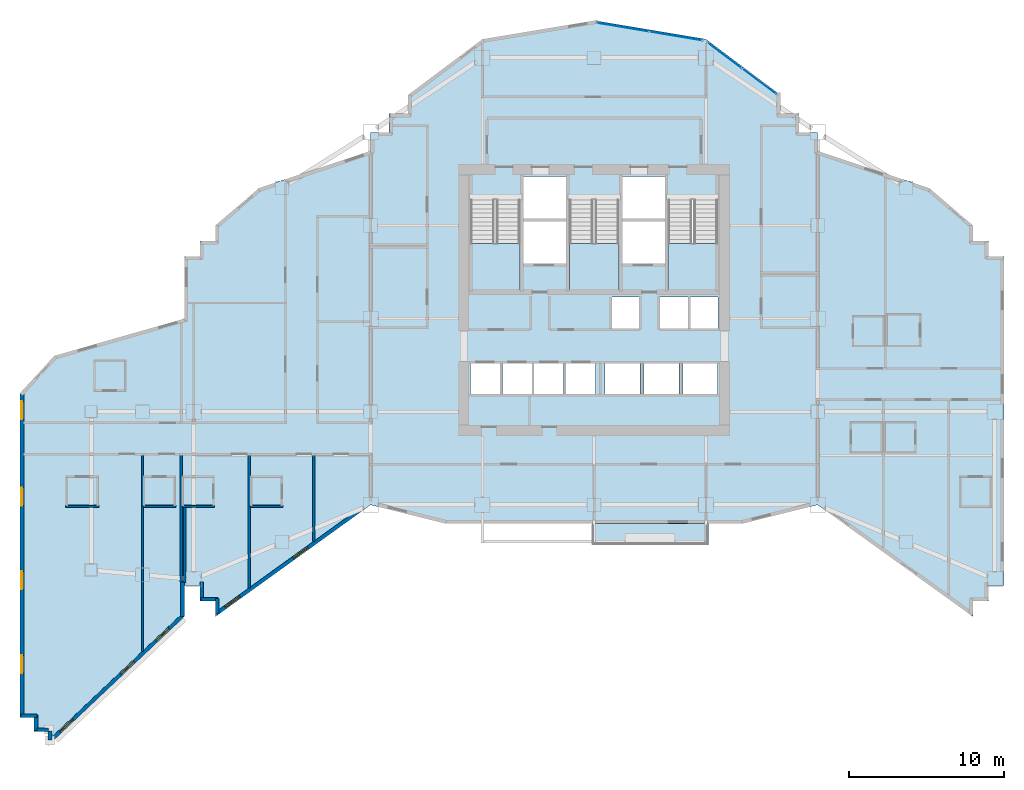
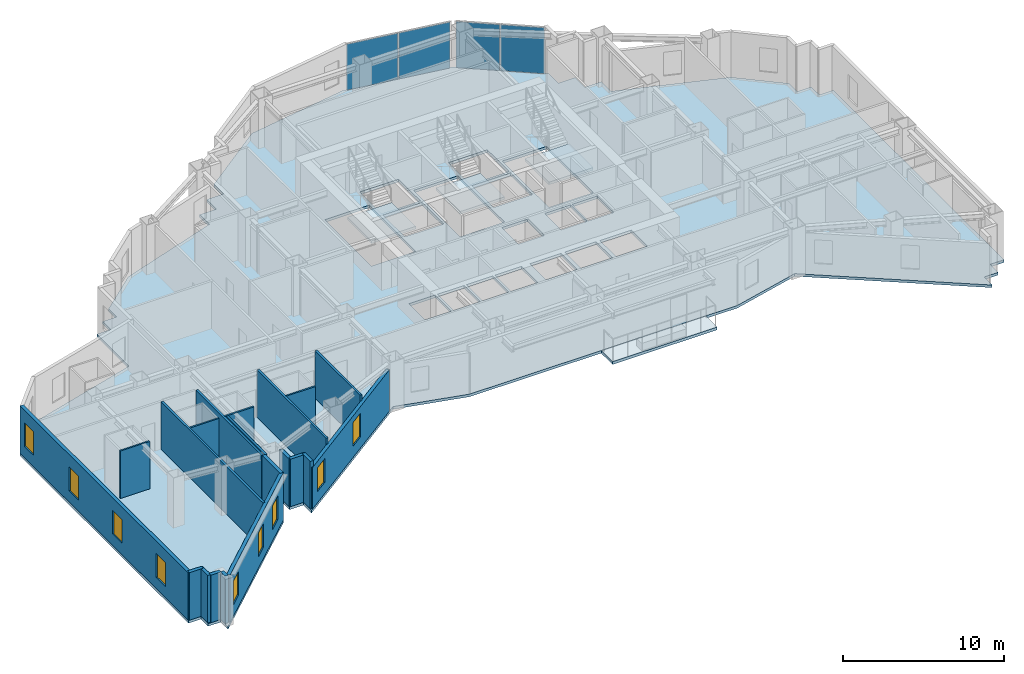
# One storey, part 5 of 13: 20 walls, 9 windows, 5 slabs, 4 plates, 9 openings, 5 elements without a shape of their own.
"""IFC4 building model written with IfcOpenShell, lengths in metres."""

from ifc_helpers import new_model, si_unit, direction, frame, frame_2d, origin, origin_2d, place, context, subcontext, project, spatial, polyline, rectangle, outline, extrude, material, layer, layer_set, type_object, element, fill, aggregate, save


model = new_model("IFC4")

# Units and contexts
model_context = context("Model", 3, precision=1e-05, world=origin(), true_north=direction((0.0, 1.0)))
body_context = subcontext(model_context, "Body", "Model", "MODEL_VIEW")
ifc_project = project(units=[si_unit("LENGTHUNIT", "METRE"), si_unit("AREAUNIT", "SQUARE_METRE"), si_unit("VOLUMEUNIT", "CUBIC_METRE"), si_unit("PLANEANGLEUNIT", "RADIAN"), si_unit("MASSUNIT", "GRAM", prefix="KILO")], contexts=[model_context])

# Site, building, storey
site_placement = place(None, origin())
site = spatial("IfcSite", under=ifc_project, at=site_placement, CompositionType="ELEMENT")
building_placement = place(site_placement, origin())
building = spatial("IfcBuilding", under=site, at=building_placement, Name="Haolan Belvedere Tower", CompositionType="ELEMENT")
storey_placement = place(building_placement, frame((0.0, 0.0, 128.800048828125)))
storey = spatial("IfcBuildingStorey", under=building, at=storey_placement, Name="L32", CompositionType="ELEMENT", Elevation=128.800048828125)

# Curtain wall, plates
ifc_material_1 = material(Name="Anodised champagne-silver aluminium 6063-T6 and Low-E glass", Category="aluminium")
ifc_layer_1 = layer(ifc_material_1, 0.155029296875, Name="Anodised champagne-silver aluminium 6063-T6 and Low-E glass")
ifc_layer_set_1 = layer_set([ifc_layer_1], Name="Anodised champagne-silver aluminium 6063-T6 and Low-E glass")
curtain_wall_type = type_object("IfcCurtainWallType", Name="CW-SYS-03", PredefinedType="NOTDEFINED", material=ifc_layer_set_1)
curtain_wall_1_placement = place(storey_placement, origin())
curtain_wall_1 = element("IfcCurtainWall", 1, at=curtain_wall_1_placement, inside=storey, type_object=curtain_wall_type, Name="L32 CW-SYS-03 ribbon curtain wall 26.1", PredefinedType="NOTDEFINED")
ifc_material_2 = material(Name="Double silver Low-E laminated insulating glass", Category="glass")
ifc_layer_2 = layer(ifc_material_2, 0.02392578125, Name="Double silver Low-E laminated insulating glass")
ifc_layer_set_2 = layer_set([ifc_layer_2], Name="Double silver Low-E laminated insulating glass")
plate_type = type_object("IfcPlateType", Name="CW-SYS-03-PNL", PredefinedType="CURTAIN_PANEL", material=ifc_layer_set_2)
plate_1_placement = place(storey_placement, frame((49.0302734375, 48.877197265625, 0.05419921875), z_axis=(0.0, 0.0, 1.0), x_axis=(-0.800004262313, 0.599994316874, 0.0)))
plate_1 = element("IfcPlate", 2, at=plate_1_placement, type_object=plate_type, Name="CW-03 panel 1.1", PredefinedType="CURTAIN_PANEL", context=body_context, shape_type="SweptSolid", body=[
    extrude(rectangle(XDim=2.728271484375, YDim=0.02392578125, at=origin_2d()), origin(), (0.0, 0.0, 1.0), 3.491943359375),
])
plate_2_placement = place(storey_placement, frame((46.80126953125, 50.549072265625, 0.05419921875), z_axis=(0.0, 0.0, 1.0), x_axis=(-0.800004262313, 0.599994316874, 0.0)))
plate_2 = element("IfcPlate", 3, at=plate_2_placement, type_object=plate_type, Name="CW-03 panel 2.1", PredefinedType="CURTAIN_PANEL", context=body_context, shape_type="SweptSolid", body=[
    extrude(rectangle(XDim=2.728271484375, YDim=0.02392578125, at=origin_2d()), origin(), (0.0, 0.0, 1.0), 3.491943359375),
])
aggregate(curtain_wall_1, [plate_1, plate_2])

curtain_wall_2_placement = place(storey_placement, origin())
curtain_wall_2 = element("IfcCurtainWall", 4, at=curtain_wall_2_placement, inside=storey, type_object=curtain_wall_type, Name="L32 CW-SYS-03 ribbon curtain wall 27.1", PredefinedType="NOTDEFINED")
plate_3_placement = place(storey_placement, frame((43.68017578125, 51.79833984375, 0.05419921875), z_axis=(0.0, 0.0, 1.0), x_axis=(-0.9863931483, 0.16440364043, 0.0)))
plate_3 = element("IfcPlate", 5, at=plate_3_placement, type_object=plate_type, Name="CW-03 panel 1.1", PredefinedType="CURTAIN_PANEL", context=body_context, shape_type="SweptSolid", body=[
    extrude(rectangle(XDim=3.39794921875, YDim=0.02392578125, at=origin_2d()), origin(), (0.0, 0.0, 1.0), 3.491943359375),
])
plate_4_placement = place(storey_placement, frame((40.271240234375, 52.366455078125, 0.05419921875), z_axis=(0.0, 0.0, 1.0), x_axis=(-0.9863931483, 0.16440364043, 0.0)))
plate_4 = element("IfcPlate", 6, at=plate_4_placement, type_object=plate_type, Name="CW-03 panel 2.1", PredefinedType="CURTAIN_PANEL", context=body_context, shape_type="SweptSolid", body=[
    extrude(rectangle(XDim=3.39794921875, YDim=0.02392578125, at=origin_2d()), origin(), (0.0, 0.0, 1.0), 3.491943359375),
])
aggregate(curtain_wall_2, [plate_3, plate_4])

# Slabs
ifc_material_3 = material(Name="Concrete C40/50", Category="concrete")
ifc_layer_3 = layer(ifc_material_3, 0.2099609375, Name="Concrete C40/50")
ifc_layer_set_3 = layer_set([ifc_layer_3], Name="Concrete C40/50")
slab_type_1 = type_object("IfcSlabType", Name="SL-BAL-210", PredefinedType="FLOOR", material=ifc_layer_set_3)
slab_1_placement = place(storey_placement, frame((0.0, 0.0, -0.22998046875)))
element("IfcSlab", 7, at=slab_1_placement, inside=storey, type_object=slab_type_1, Name="L32 structural tree-planter balcony slab BAL-L32-S1", PredefinedType="FLOOR", context=body_context, shape_type="SweptSolid", body=[
    extrude(outline(polyline([(38.25, 19.02001953125), (45.75, 19.02001953125), (45.75, 20.39990234375), (38.25, 20.39990234375), (38.25, 19.02001953125)])), origin(), (0.0, 0.0, 1.0), 0.2099609375),
])
ifc_layer_4 = layer(ifc_material_3, 0.199951171875, Name="Concrete C40/50")
ifc_layer_set_4 = layer_set([ifc_layer_4], Name="Concrete C40/50")
slab_type_2 = type_object("IfcSlabType", Name="SL-FLR-200", PredefinedType="FLOOR", material=ifc_layer_set_4)
slab_2_placement = place(storey_placement, frame((0.0, 0.0, -0.199951171875)))
element("IfcSlab", 8, at=slab_2_placement, inside=storey, type_object=slab_type_2, Name="L32 structural floor slab", PredefinedType="FLOOR", context=body_context, shape_type="SweptSolid", body=[
    extrude(outline(polyline([(12.0, 14.39990234375), (12.0, 16.39990234375), (13.0, 16.39990234375), (13.0, 15.39990234375), (14.0, 15.39990234375), (14.0, 14.39990234375), (24.0, 21.60009765625), (28.800048828125, 20.39990234375), (48.0, 20.39990234375), (52.800048828125, 21.60009765625), (62.800048828125, 14.39990234375), (62.800048828125, 15.39990234375), (63.800048828125, 15.39990234375), (63.800048828125, 16.39990234375), (64.800048828125, 16.39990234375), (64.800048828125, 37.60009765625), (63.800048828125, 37.60009765625), (63.800048828125, 38.60009765625), (62.800048828125, 38.60009765625), (62.800048828125, 39.60009765625), (60.0, 42.0), (52.800048828125, 44.39990234375), (52.800048828125, 45.60009765625), (51.60009765625, 45.60009765625), (51.60009765625, 46.800048828125), (50.39990234375, 46.800048828125), (50.39990234375, 48.0), (45.60009765625, 51.60009765625), (38.39990234375, 52.800048828125), (31.199951171875, 51.60009765625), (26.39990234375, 48.0), (26.39990234375, 46.800048828125), (25.199951171875, 46.800048828125), (25.199951171875, 45.60009765625), (24.0, 45.60009765625), (24.0, 44.39990234375), (16.800048828125, 42.0), (14.0, 39.60009765625), (14.0, 38.60009765625), (13.0, 38.60009765625), (13.0, 37.60009765625), (12.0, 37.60009765625), (12.0, 33.60009765625), (3.6201171875, 31.199951171875), (1.419921875, 28.800048828125), (1.419921875, 8.4990234375), (1.419921875, 7.89892578125), (2.320068359375, 7.89892578125), (2.320068359375, 6.9990234375), (3.219970703125, 6.9990234375), (3.219970703125, 6.09912109375), (12.0, 14.39990234375)]), holes=[polyline([(30.449951171875, 41.22998046875), (30.449951171875, 35.449951171875), (33.6298828125, 35.449951171875), (33.6298828125, 41.22998046875), (30.449951171875, 41.22998046875)]), polyline([(36.81005859375, 41.22998046875), (36.81005859375, 35.449951171875), (39.989990234375, 35.449951171875), (39.989990234375, 41.22998046875), (36.81005859375, 41.22998046875)]), polyline([(43.169921875, 41.22998046875), (43.169921875, 35.449951171875), (46.35009765625, 35.449951171875), (46.35009765625, 41.22998046875), (43.169921875, 41.22998046875)]), polyline([(33.830078125, 40.050048828125), (36.610107421875, 40.050048828125), (36.610107421875, 42.75), (33.830078125, 42.75), (33.830078125, 40.050048828125)]), polyline([(33.830078125, 37.14990234375), (36.610107421875, 37.14990234375), (36.610107421875, 39.85009765625), (33.830078125, 39.85009765625), (33.830078125, 37.14990234375)]), polyline([(40.18994140625, 40.050048828125), (42.969970703125, 40.050048828125), (42.969970703125, 42.75), (40.18994140625, 42.75), (40.18994140625, 40.050048828125)]), polyline([(40.18994140625, 37.14990234375), (42.969970703125, 37.14990234375), (42.969970703125, 39.85009765625), (40.18994140625, 39.85009765625), (40.18994140625, 37.14990234375)]), polyline([(39.5400390625, 32.949951171875), (41.389892578125, 32.949951171875), (41.389892578125, 35.0), (39.5400390625, 35.0), (39.5400390625, 32.949951171875)]), polyline([(42.6201171875, 32.949951171875), (44.469970703125, 32.949951171875), (44.469970703125, 35.0), (42.6201171875, 35.0), (42.6201171875, 32.949951171875)]), polyline([(44.580078125, 32.949951171875), (46.3798828125, 32.949951171875), (46.3798828125, 35.0), (44.580078125, 35.0), (44.580078125, 32.949951171875)]), polyline([(30.419921875, 28.75), (32.320068359375, 28.75), (32.320068359375, 30.75), (30.419921875, 30.75), (30.419921875, 28.75)]), polyline([(32.47998046875, 28.75), (34.3798828125, 28.75), (34.3798828125, 30.75), (32.47998046875, 30.75), (32.47998046875, 28.75)]), polyline([(34.5400390625, 28.75), (36.43994140625, 28.75), (36.43994140625, 30.75), (34.5400390625, 30.75), (34.5400390625, 28.75)]), polyline([(36.60009765625, 28.75), (38.5, 28.75), (38.5, 30.75), (36.60009765625, 30.75), (36.60009765625, 28.75)]), polyline([(39.10009765625, 28.75), (41.340087890625, 28.75), (41.340087890625, 30.75), (39.10009765625, 30.75), (39.10009765625, 28.75)]), polyline([(41.610107421875, 28.75), (43.85009765625, 28.75), (43.85009765625, 30.75), (41.610107421875, 30.75), (41.610107421875, 28.75)]), polyline([(44.1201171875, 28.75), (46.360107421875, 28.75), (46.360107421875, 30.75), (44.1201171875, 30.75), (44.1201171875, 28.75)])]), origin(), (0.0, 0.0, 1.0), 0.199951171875),
])

# Stair, slab
stair_type = type_object("IfcStairType", Name="STR-DL-22R-173", PredefinedType="HALF_TURN_STAIR", material=ifc_material_3)
stair_1_placement = place(storey_placement, origin())
stair_1 = element("IfcStair", 9, at=stair_1_placement, inside=storey, type_object=stair_type, Name="L32 Smokeproof Core Exit Stair ST1", PredefinedType="HALF_TURN_STAIR")
ifc_layer_5 = layer(ifc_material_3, 0.199951171875, Name="Concrete C40/50")
ifc_layer_set_5 = layer_set([ifc_layer_5], Name="Concrete C40/50")
slab_type_3 = type_object("IfcSlabType", Name="SL-LAND-200", PredefinedType="LANDING", material=ifc_layer_set_5)
slab_3_placement = place(storey_placement, frame((0.0, 0.0, 1.699951171875)))
slab_3 = element("IfcSlab", 10, at=slab_3_placement, type_object=slab_type_3, Name="ST1 landing 1", PredefinedType="LANDING", context=body_context, shape_type="SweptSolid", body=[
    extrude(outline(polyline([(30.449951171875, 38.429931640625), (30.449951171875, 35.449951171875), (33.6298828125, 35.449951171875), (33.6298828125, 38.429931640625), (30.449951171875, 38.429931640625)])), origin(), (0.0, 0.0, 1.0), 0.199951171875),
])
aggregate(stair_1, [slab_3])

stair_2_placement = place(storey_placement, origin())
stair_2 = element("IfcStair", 11, at=stair_2_placement, inside=storey, type_object=stair_type, Name="L32 Smokeproof Core Exit Stair ST3", PredefinedType="HALF_TURN_STAIR")
slab_4_placement = place(storey_placement, frame((0.0, 0.0, 1.699951171875)))
slab_4 = element("IfcSlab", 12, at=slab_4_placement, type_object=slab_type_3, Name="ST3 landing 1", PredefinedType="LANDING", context=body_context, shape_type="SweptSolid", body=[
    extrude(outline(polyline([(36.81005859375, 38.429931640625), (36.81005859375, 35.449951171875), (39.989990234375, 35.449951171875), (39.989990234375, 38.429931640625), (36.81005859375, 38.429931640625)])), origin(), (0.0, 0.0, 1.0), 0.199951171875),
])
aggregate(stair_2, [slab_4])

stair_3_placement = place(storey_placement, origin())
stair_3 = element("IfcStair", 13, at=stair_3_placement, inside=storey, type_object=stair_type, Name="L32 Smokeproof Core Exit Stair ST2", PredefinedType="HALF_TURN_STAIR")
slab_5_placement = place(storey_placement, frame((0.0, 0.0, 1.699951171875)))
slab_5 = element("IfcSlab", 14, at=slab_5_placement, type_object=slab_type_3, Name="ST2 landing 1", PredefinedType="LANDING", context=body_context, shape_type="SweptSolid", body=[
    extrude(outline(polyline([(43.169921875, 38.429931640625), (43.169921875, 35.449951171875), (46.35009765625, 35.449951171875), (46.35009765625, 38.429931640625), (43.169921875, 38.429931640625)])), origin(), (0.0, 0.0, 1.0), 0.199951171875),
])
aggregate(stair_3, [slab_5])

# Walls
ifc_material_4 = material(Name="Precast concrete C40/50", Category="concrete")
ifc_layer_6 = layer(ifc_material_4, 0.239990234375, Name="Precast concrete C40/50")
ifc_layer_set_6 = layer_set([ifc_layer_6], Name="Precast concrete C40/50")
wall_type_1 = type_object("IfcWallType", Name="WL-EXT-240", PredefinedType="SOLIDWALL", material=ifc_layer_set_6)
wall_1_placement = place(storey_placement, frame((13.1201171875, 16.639892578125, 0.0), z_axis=(0.0, 0.0, 1.0), x_axis=(0.0, -1.0, 0.0)))
element("IfcWall", 15, at=wall_1_placement, inside=storey, type_object=wall_type_1, Name="L32 pale-metal exterior spandrel wall 2.1", PredefinedType="SOLIDWALL", context=body_context, shape_type="SweptSolid", body=[
    extrude(rectangle(XDim=1.1748046875, YDim=0.239990234375, at=frame_2d((0.58740234375, 0.0))), origin(), (0.0, 0.0, 1.0), 3.599853515625),
])
wall_2_placement = place(storey_placement, frame((13.06494140625, 15.52001953125, 0.0), z_axis=(0.0, 0.0, 1.0), x_axis=(1.0, 0.0, 0.0)))
element("IfcWall", 16, at=wall_2_placement, inside=storey, type_object=wall_type_1, Name="L32 pale-metal exterior spandrel wall 3.1", PredefinedType="SOLIDWALL", context=body_context, shape_type="SweptSolid", body=[
    extrude(rectangle(XDim=1.110107421875, YDim=0.239990234375, at=frame_2d((0.55517578125, 0.0))), origin(), (0.0, 0.0, 1.0), 3.599853515625),
])
wall_3_placement = place(storey_placement, frame((14.1201171875, 15.574951171875, 0.0), z_axis=(0.0, 0.0, 1.0), x_axis=(0.0, -1.0, 0.0)))
element("IfcWall", 17, at=wall_3_placement, inside=storey, type_object=wall_type_1, Name="L32 pale-metal exterior spandrel wall 4.1", PredefinedType="SOLIDWALL", context=body_context, shape_type="SweptSolid", body=[
    extrude(rectangle(XDim=0.99560546875, YDim=0.239990234375, at=frame_2d((0.497802734375, 0.0))), origin(), (0.0, 0.0, 1.0), 3.599853515625),
])

# Wall, openings, windows
wall_4_placement = place(storey_placement, frame((14.075439453125, 14.602294921875, 0.0), z_axis=(0.0, 0.0, 1.0), x_axis=(0.811543504691, 0.584291998913, 0.0)))
wall_4 = element("IfcWall", 18, at=wall_4_placement, inside=storey, type_object=wall_type_1, Name="L32 pale-metal exterior spandrel wall 5.1", PredefinedType="SOLIDWALL", context=body_context, shape_type="SweptSolid", body=[
    extrude(rectangle(XDim=11.623046875, YDim=0.239990234375, at=frame_2d((5.8115234375, 0.0))), origin(), (0.0, 0.0, 1.0), 3.14501953125),
])
opening_1_placement = place(wall_4_placement, frame((0.699951171875, 0.0, 0.85009765625)))
opening_1 = element("IfcOpeningElement", 19, at=opening_1_placement, cuts=wall_4, Name="Opening W-02", PredefinedType="OPENING", context=body_context, shape_type="SweptSolid", body=[
    extrude(rectangle(XDim=1.14990234375, YDim=1.800048828125, at=frame_2d((0.574951171875, 0.89990234375))), frame((0.0, 0.1298828125, 0.0), z_axis=(0.0, -1.0, 0.0), x_axis=(1.0, 0.0, 0.0)), (0.0, 0.0, 1.0), 0.260009765625),
])
opening_2_placement = place(wall_4_placement, frame((6.10009765625, 0.0, 0.85009765625)))
opening_2 = element("IfcOpeningElement", 20, at=opening_2_placement, cuts=wall_4, Name="Opening W-02", PredefinedType="OPENING", context=body_context, shape_type="SweptSolid", body=[
    extrude(rectangle(XDim=1.14990234375, YDim=1.800048828125, at=frame_2d((0.574951171875, 0.89990234375))), frame((0.0, 0.1298828125, 0.0), z_axis=(0.0, -1.0, 0.0), x_axis=(1.0, 0.0, 0.0)), (0.0, 0.0, 1.0), 0.260009765625),
])
ifc_material_5 = material(Name="Anodised aluminium 6063-T6 and Low-E glass", Category="aluminium")
window_type = type_object("IfcWindowType", Name="WN-DECO-Z2", PartitioningType="SINGLE_PANEL", PredefinedType="WINDOW", material=ifc_material_5)
window_1_placement = place(opening_1_placement, origin())
window_1 = element("IfcWindow", 21, at=window_1_placement, inside=storey, type_object=window_type, Name="L32 Art Deco chevron window 1", OverallHeight=1.800048828125, OverallWidth=1.14990234375, PartitioningType="SINGLE_PANEL", PredefinedType="WINDOW", context=body_context, shape_type="SweptSolid", body=[
    extrude(rectangle(XDim=1.14990234375, YDim=1.800048828125, at=frame_2d((0.574951171875, 0.89990234375))), frame((0.0, 0.030029296875, 0.0), z_axis=(0.0, -1.0, 0.0), x_axis=(1.0, 0.0, 0.0)), (0.0, 0.0, 1.0), 0.06005859375),
])
fill(opening_1, window_1)
window_2_placement = place(opening_2_placement, origin())
window_2 = element("IfcWindow", 22, at=window_2_placement, inside=storey, type_object=window_type, Name="L32 Art Deco chevron window 2", OverallHeight=1.800048828125, OverallWidth=1.14990234375, PartitioningType="SINGLE_PANEL", PredefinedType="WINDOW", context=body_context, shape_type="SweptSolid", body=[
    extrude(rectangle(XDim=1.14990234375, YDim=1.800048828125, at=frame_2d((0.574951171875, 0.89990234375))), frame((0.0, 0.030029296875, 0.0), z_axis=(0.0, -1.0, 0.0), x_axis=(1.0, 0.0, 0.0)), (0.0, 0.0, 1.0), 0.06005859375),
])
fill(opening_2, window_2)

wall_5_placement = place(storey_placement, frame((1.5400390625, 28.808349609375, 0.0), z_axis=(0.0, 0.0, 1.0), x_axis=(0.0, -1.0, 0.0)))
wall_5 = element("IfcWall", 23, at=wall_5_placement, inside=storey, type_object=wall_type_1, Name="L32 pale-metal exterior spandrel wall 44.1", PredefinedType="SOLIDWALL", context=body_context, shape_type="SweptSolid", body=[
    extrude(rectangle(XDim=20.84423828125, YDim=0.239990234375, at=frame_2d((10.422119140625, 0.0))), origin(), (0.0, 0.0, 1.0), 3.599853515625),
])
opening_3_placement = place(wall_5_placement, frame((0.543212890625, 0.0, 0.85009765625)))
opening_3 = element("IfcOpeningElement", 24, at=opening_3_placement, cuts=wall_5, Name="Opening W-02", PredefinedType="OPENING", context=body_context, shape_type="SweptSolid", body=[
    extrude(rectangle(XDim=1.14990234375, YDim=1.800048828125, at=frame_2d((0.574951171875, 0.89990234375))), frame((0.0, 0.1298828125, 0.0), z_axis=(0.0, -1.0, 0.0), x_axis=(1.0, 0.0, 0.0)), (0.0, 0.0, 1.0), 0.260009765625),
])
opening_4_placement = place(wall_5_placement, frame((6.10009765625, 0.0, 0.85009765625)))
opening_4 = element("IfcOpeningElement", 25, at=opening_4_placement, cuts=wall_5, Name="Opening W-02", PredefinedType="OPENING", context=body_context, shape_type="SweptSolid", body=[
    extrude(rectangle(XDim=1.14990234375, YDim=1.800048828125, at=frame_2d((0.574951171875, 0.89990234375))), frame((0.0, 0.1298828125, 0.0), z_axis=(0.0, -1.0, 0.0), x_axis=(1.0, 0.0, 0.0)), (0.0, 0.0, 1.0), 0.260009765625),
])
opening_5_placement = place(wall_5_placement, frame((11.5, 0.0, 0.85009765625)))
opening_5 = element("IfcOpeningElement", 26, at=opening_5_placement, cuts=wall_5, Name="Opening W-02", PredefinedType="OPENING", context=body_context, shape_type="SweptSolid", body=[
    extrude(rectangle(XDim=1.14990234375, YDim=1.800048828125, at=frame_2d((0.574951171875, 0.89990234375))), frame((0.0, 0.1298828125, 0.0), z_axis=(0.0, -1.0, 0.0), x_axis=(1.0, 0.0, 0.0)), (0.0, 0.0, 1.0), 0.260009765625),
])
opening_6_placement = place(wall_5_placement, frame((16.89990234375, 0.0, 0.85009765625)))
opening_6 = element("IfcOpeningElement", 27, at=opening_6_placement, cuts=wall_5, Name="Opening W-02", PredefinedType="OPENING", context=body_context, shape_type="SweptSolid", body=[
    extrude(rectangle(XDim=1.14990234375, YDim=1.800048828125, at=frame_2d((0.574951171875, 0.89990234375))), frame((0.0, 0.1298828125, 0.0), z_axis=(0.0, -1.0, 0.0), x_axis=(1.0, 0.0, 0.0)), (0.0, 0.0, 1.0), 0.260009765625),
])
window_3_placement = place(opening_3_placement, origin())
window_3 = element("IfcWindow", 28, at=window_3_placement, inside=storey, type_object=window_type, Name="L32 Art Deco chevron window 1", OverallHeight=1.800048828125, OverallWidth=1.14990234375, PartitioningType="SINGLE_PANEL", PredefinedType="WINDOW", context=body_context, shape_type="SweptSolid", body=[
    extrude(rectangle(XDim=1.14990234375, YDim=1.800048828125, at=frame_2d((0.574951171875, 0.89990234375))), frame((0.0, 0.030029296875, 0.0), z_axis=(0.0, -1.0, 0.0), x_axis=(1.0, 0.0, 0.0)), (0.0, 0.0, 1.0), 0.06005859375),
])
fill(opening_3, window_3)
window_4_placement = place(opening_4_placement, origin())
window_4 = element("IfcWindow", 29, at=window_4_placement, inside=storey, type_object=window_type, Name="L32 Art Deco chevron window 2", OverallHeight=1.800048828125, OverallWidth=1.14990234375, PartitioningType="SINGLE_PANEL", PredefinedType="WINDOW", context=body_context, shape_type="SweptSolid", body=[
    extrude(rectangle(XDim=1.14990234375, YDim=1.800048828125, at=frame_2d((0.574951171875, 0.89990234375))), frame((0.0, 0.030029296875, 0.0), z_axis=(0.0, -1.0, 0.0), x_axis=(1.0, 0.0, 0.0)), (0.0, 0.0, 1.0), 0.06005859375),
])
fill(opening_4, window_4)
window_5_placement = place(opening_5_placement, origin())
window_5 = element("IfcWindow", 30, at=window_5_placement, inside=storey, type_object=window_type, Name="L32 Art Deco chevron window 3", OverallHeight=1.800048828125, OverallWidth=1.14990234375, PartitioningType="SINGLE_PANEL", PredefinedType="WINDOW", context=body_context, shape_type="SweptSolid", body=[
    extrude(rectangle(XDim=1.14990234375, YDim=1.800048828125, at=frame_2d((0.574951171875, 0.89990234375))), frame((0.0, 0.030029296875, 0.0), z_axis=(0.0, -1.0, 0.0), x_axis=(1.0, 0.0, 0.0)), (0.0, 0.0, 1.0), 0.06005859375),
])
fill(opening_5, window_5)
window_6_placement = place(opening_6_placement, origin())
window_6 = element("IfcWindow", 31, at=window_6_placement, inside=storey, type_object=window_type, Name="L32 Art Deco chevron window 4", OverallHeight=1.800048828125, OverallWidth=1.14990234375, PartitioningType="SINGLE_PANEL", PredefinedType="WINDOW", context=body_context, shape_type="SweptSolid", body=[
    extrude(rectangle(XDim=1.14990234375, YDim=1.800048828125, at=frame_2d((0.574951171875, 0.89990234375))), frame((0.0, 0.030029296875, 0.0), z_axis=(0.0, -1.0, 0.0), x_axis=(1.0, 0.0, 0.0)), (0.0, 0.0, 1.0), 0.06005859375),
])
fill(opening_6, window_6)

# Walls
for number, where, z_axis, x_axis, name in (
    (32, (1.485107421875, 8.01904296875, 0.0), (0.0, 0.0, 1.0), (1.0, 0.0, 0.0), "L32 pale-metal exterior spandrel wall 45.1"),
    (33, (2.43994140625, 8.073974609375, 0.0), (0.0, 0.0, 1.0), (0.0, -1.0, 0.0), "L32 pale-metal exterior spandrel wall 46.1"),
):
    element("IfcWall", number, at=place(storey_placement, frame(where, z_axis=z_axis, x_axis=x_axis)), inside=storey, type_object=wall_type_1, Name=name, PredefinedType="SOLIDWALL", context=body_context, shape_type="SweptSolid", body=[
        extrude(rectangle(XDim=1.010009765625, YDim=0.239990234375, at=frame_2d((0.5048828125, 0.0))), origin(), (0.0, 0.0, 1.0), 3.599853515625),
    ])
wall_6_placement = place(storey_placement, frame((2.52001953125, 7.118896484375, 0.0), z_axis=(0.0, 0.0, 1.0), x_axis=(1.0, 0.0, 0.0)))
element("IfcWall", 34, at=wall_6_placement, inside=storey, type_object=wall_type_1, Name="L32 pale-metal exterior spandrel wall 47.1", PredefinedType="SOLIDWALL", context=body_context, shape_type="SweptSolid", body=[
    extrude(rectangle(XDim=0.73486328125, YDim=0.239990234375, at=frame_2d((0.367431640625, 0.0))), origin(), (0.0, 0.0, 1.0), 3.599853515625),
])
wall_7_placement = place(storey_placement, frame((3.340087890625, 7.033935546875, 0.0), z_axis=(0.0, 0.0, 1.0), x_axis=(0.0, -1.0, 0.0)))
element("IfcWall", 35, at=wall_7_placement, inside=storey, type_object=wall_type_1, Name="L32 pale-metal exterior spandrel wall 48.1", PredefinedType="SOLIDWALL", context=body_context, shape_type="SweptSolid", body=[
    extrude(rectangle(XDim=0.5712890625, YDim=0.239990234375, at=frame_2d((0.28564453125, 0.0))), origin(), (0.0, 0.0, 1.0), 3.599853515625),
])

# Wall, openings, windows
wall_8_placement = place(storey_placement, frame((3.489013671875, 6.518310546875, 0.0), z_axis=(0.0, 0.0, 1.0), x_axis=(0.726640160789, 0.687018250652, 0.0)))
wall_8 = element("IfcWall", 36, at=wall_8_placement, inside=storey, type_object=wall_type_1, Name="L32 pale-metal exterior spandrel wall 49.1", PredefinedType="SOLIDWALL", context=body_context, shape_type="SweptSolid", body=[
    extrude(rectangle(XDim=11.6025390625, YDim=0.239990234375, at=frame_2d((5.80126953125, 0.0))), origin(), (0.0, 0.0, 1.0), 3.599853515625),
])
opening_7_placement = place(wall_8_placement, frame((0.699951171875, 0.0, 0.85009765625)))
opening_7 = element("IfcOpeningElement", 37, at=opening_7_placement, cuts=wall_8, Name="Opening W-02", PredefinedType="OPENING", context=body_context, shape_type="SweptSolid", body=[
    extrude(rectangle(XDim=1.14990234375, YDim=1.800048828125, at=frame_2d((0.574951171875, 0.89990234375))), frame((0.0, 0.1298828125, 0.0), z_axis=(0.0, -1.0, 0.0), x_axis=(1.0, 0.0, 0.0)), (0.0, 0.0, 1.0), 0.260009765625),
])
opening_8_placement = place(wall_8_placement, frame((6.10009765625, 0.0, 0.85009765625)))
opening_8 = element("IfcOpeningElement", 38, at=opening_8_placement, cuts=wall_8, Name="Opening W-02", PredefinedType="OPENING", context=body_context, shape_type="SweptSolid", body=[
    extrude(rectangle(XDim=1.14990234375, YDim=1.800048828125, at=frame_2d((0.574951171875, 0.89990234375))), frame((0.0, 0.1298828125, 0.0), z_axis=(0.0, -1.0, 0.0), x_axis=(1.0, 0.0, 0.0)), (0.0, 0.0, 1.0), 0.260009765625),
])
opening_9_placement = place(wall_8_placement, frame((9.20556640625, 0.0, 0.85009765625)))
opening_9 = element("IfcOpeningElement", 39, at=opening_9_placement, cuts=wall_8, Name="Opening W-02", PredefinedType="OPENING", context=body_context, shape_type="SweptSolid", body=[
    extrude(rectangle(XDim=1.14990234375, YDim=1.800048828125, at=frame_2d((0.574951171875, 0.89990234375))), frame((0.0, 0.1298828125, 0.0), z_axis=(0.0, -1.0, 0.0), x_axis=(1.0, 0.0, 0.0)), (0.0, 0.0, 1.0), 0.260009765625),
])
window_7_placement = place(opening_7_placement, origin())
window_7 = element("IfcWindow", 40, at=window_7_placement, inside=storey, type_object=window_type, Name="L32 Art Deco chevron window 1", OverallHeight=1.800048828125, OverallWidth=1.14990234375, PartitioningType="SINGLE_PANEL", PredefinedType="WINDOW", context=body_context, shape_type="SweptSolid", body=[
    extrude(rectangle(XDim=1.14990234375, YDim=1.800048828125, at=frame_2d((0.574951171875, 0.89990234375))), frame((0.0, 0.030029296875, 0.0), z_axis=(0.0, -1.0, 0.0), x_axis=(1.0, 0.0, 0.0)), (0.0, 0.0, 1.0), 0.06005859375),
])
fill(opening_7, window_7)
window_8_placement = place(opening_8_placement, origin())
window_8 = element("IfcWindow", 41, at=window_8_placement, inside=storey, type_object=window_type, Name="L32 Art Deco chevron window 2", OverallHeight=1.800048828125, OverallWidth=1.14990234375, PartitioningType="SINGLE_PANEL", PredefinedType="WINDOW", context=body_context, shape_type="SweptSolid", body=[
    extrude(rectangle(XDim=1.14990234375, YDim=1.800048828125, at=frame_2d((0.574951171875, 0.89990234375))), frame((0.0, 0.030029296875, 0.0), z_axis=(0.0, -1.0, 0.0), x_axis=(1.0, 0.0, 0.0)), (0.0, 0.0, 1.0), 0.06005859375),
])
fill(opening_8, window_8)
window_9_placement = place(opening_9_placement, origin())
window_9 = element("IfcWindow", 42, at=window_9_placement, inside=storey, type_object=window_type, Name="L32 Art Deco guestroom window 1", OverallHeight=1.800048828125, OverallWidth=1.14990234375, PartitioningType="SINGLE_PANEL", PredefinedType="WINDOW", context=body_context, shape_type="SweptSolid", body=[
    extrude(rectangle(XDim=1.14990234375, YDim=1.800048828125, at=frame_2d((0.574951171875, 0.89990234375))), frame((0.0, 0.030029296875, 0.0), z_axis=(0.0, -1.0, 0.0), x_axis=(1.0, 0.0, 0.0)), (0.0, 0.0, 1.0), 0.06005859375),
])
fill(opening_9, window_9)

# Walls
wall_9_placement = place(storey_placement, frame((11.8798828125, 14.396728515625, 0.0), z_axis=(0.0, 0.0, 1.0), x_axis=(0.0, 1.0, 0.0)))
element("IfcWall", 43, at=wall_9_placement, inside=storey, type_object=wall_type_1, Name="L32 pale-metal exterior spandrel wall 50.1", PredefinedType="SOLIDWALL", context=body_context, shape_type="SweptSolid", body=[
    extrude(rectangle(XDim=2.2431640625, YDim=0.239990234375, at=frame_2d((1.12158203125, 0.0))), origin(), (0.0, 0.0, 1.0), 3.599853515625),
])
ifc_material_6 = material(Name="Double gypsum acoustic stud partition", Category="masonry")
ifc_layer_7 = layer(ifc_material_6, 0.14990234375, Name="Double gypsum acoustic stud partition")
ifc_layer_set_7 = layer_set([ifc_layer_7], Name="Double gypsum acoustic stud partition")
wall_type_2 = type_object("IfcWallType", Name="WL-PART-150", PredefinedType="PARTITIONING", material=ifc_layer_set_7)
wall_10_placement = place(storey_placement, frame((11.800048828125, 16.64208984375, 0.0), z_axis=(0.0, 0.0, 1.0), x_axis=(0.0, 1.0, 0.0)))
element("IfcWall", 44, at=wall_10_placement, inside=storey, type_object=wall_type_2, Name="L32 interior partition IW-L32-T2S1-W", PredefinedType="PARTITIONING", context=body_context, shape_type="SweptSolid", body=[
    extrude(rectangle(XDim=8.16796875, YDim=0.14990234375, at=frame_2d((4.083984375, 0.0))), origin(), (0.0, 0.0, 1.0), 3.599853515625),
])
wall_11_placement = place(storey_placement, frame((16.18994140625, 16.254150390625, 0.0), z_axis=(0.0, 0.0, 1.0), x_axis=(0.0, 1.0, 0.0)))
element("IfcWall", 45, at=wall_11_placement, inside=storey, type_object=wall_type_2, Name="L32 interior partition IW-L32-T2S1-E", PredefinedType="PARTITIONING", context=body_context, shape_type="SweptSolid", body=[
    extrude(rectangle(XDim=8.555908203125, YDim=0.14990234375, at=frame_2d((4.27783203125, 0.0))), origin(), (0.0, 0.0, 1.0), 3.599853515625),
])
wall_12_placement = place(storey_placement, frame((20.340087890625, 19.241943359375, 0.0), z_axis=(0.0, 0.0, 1.0), x_axis=(0.0, 1.0, 0.0)))
element("IfcWall", 46, at=wall_12_placement, inside=storey, type_object=wall_type_2, Name="L32 interior partition IW-L32-T2S2-E", PredefinedType="PARTITIONING", context=body_context, shape_type="SweptSolid", body=[
    extrude(rectangle(XDim=5.568115234375, YDim=0.14990234375, at=frame_2d((2.7841796875, 0.0))), origin(), (0.0, 0.0, 1.0), 3.599853515625),
])
wall_13_placement = place(storey_placement, frame((9.300048828125, 12.156982421875, 0.0), z_axis=(0.0, 0.0, 1.0), x_axis=(0.0, 1.0, 0.0)))
element("IfcWall", 47, at=wall_13_placement, inside=storey, type_object=wall_type_2, Name="L32 interior partition IW-L32-T1S1-E", PredefinedType="PARTITIONING", context=body_context, shape_type="SweptSolid", body=[
    extrude(rectangle(XDim=12.653076171875, YDim=0.14990234375, at=frame_2d((6.32666015625, 0.0))), origin(), (0.0, 0.0, 1.0), 3.599853515625),
])
wall_14_placement = place(storey_placement, frame((12.02001953125, 16.612060546875, 0.0), z_axis=(0.0, 0.0, 1.0), x_axis=(0.0, 1.0, 0.0)))
element("IfcWall", 48, at=wall_14_placement, inside=storey, type_object=wall_type_2, Name="L32 interior partition IW-L32-T1S2-E", PredefinedType="PARTITIONING", context=body_context, shape_type="SweptSolid", body=[
    extrude(rectangle(XDim=4.843017578125, YDim=0.14990234375, at=frame_2d((2.42138671875, 0.0))), origin(), (0.0, 0.0, 1.0), 3.599853515625),
])
ifc_material_7 = material(Name="Moisture-resistant gypsum tile partition", Category="masonry")
ifc_layer_8 = layer(ifc_material_7, 0.1201171875, Name="Moisture-resistant gypsum tile partition")
ifc_layer_set_8 = layer_set([ifc_layer_8], Name="Moisture-resistant gypsum tile partition")
wall_type_3 = type_object("IfcWallType", Name="WL-WET-120", PredefinedType="PARTITIONING", material=ifc_layer_set_8)
wall_15_placement = place(storey_placement, frame((11.860107421875, 21.5, 0.0), z_axis=(0.0, 0.0, 1.0), x_axis=(1.0, 0.0, 0.0)))
element("IfcWall", 49, at=wall_15_placement, inside=storey, type_object=wall_type_3, Name="L32 interior partition IW-L32-T2S1-BS", PredefinedType="PARTITIONING", context=body_context, shape_type="SweptSolid", body=[
    extrude(rectangle(XDim=2.079833984375, YDim=0.1201171875, at=frame_2d((1.0400390625, 0.0))), origin(), (0.0, 0.0, 1.0), 3.599853515625),
])
wall_16_placement = place(storey_placement, frame((16.25, 21.5, 0.0), z_axis=(0.0, 0.0, 1.0), x_axis=(1.0, 0.0, 0.0)))
element("IfcWall", 50, at=wall_16_placement, inside=storey, type_object=wall_type_3, Name="L32 interior partition IW-L32-T2S2-BS", PredefinedType="PARTITIONING", context=body_context, shape_type="SweptSolid", body=[
    extrude(rectangle(XDim=2.094970703125, YDim=0.1201171875, at=frame_2d((1.04736328125, 0.0))), origin(), (0.0, 0.0, 1.0), 3.599853515625),
])
wall_17_placement = place(storey_placement, frame((4.375, 21.5, 0.0), z_axis=(0.0, 0.0, 1.0), x_axis=(1.0, 0.0, 0.0)))
element("IfcWall", 51, at=wall_17_placement, inside=storey, type_object=wall_type_3, Name="L32 interior partition IW-L32-T1S1-BS", PredefinedType="PARTITIONING", context=body_context, shape_type="SweptSolid", body=[
    extrude(rectangle(XDim=2.10009765625, YDim=0.1201171875, at=frame_2d((1.050048828125, 0.0))), origin(), (0.0, 0.0, 1.0), 3.599853515625),
])
wall_18_placement = place(storey_placement, frame((9.360107421875, 21.5, 0.0), z_axis=(0.0, 0.0, 1.0), x_axis=(1.0, 0.0, 0.0)))
element("IfcWall", 52, at=wall_18_placement, inside=storey, type_object=wall_type_3, Name="L32 interior partition IW-L32-T1S2-BS", PredefinedType="PARTITIONING", context=body_context, shape_type="SweptSolid", body=[
    extrude(rectangle(XDim=2.079833984375, YDim=0.1201171875, at=frame_2d((1.0400390625, 0.0))), origin(), (0.0, 0.0, 1.0), 3.599853515625),
])

save(model, "model.ifc")
